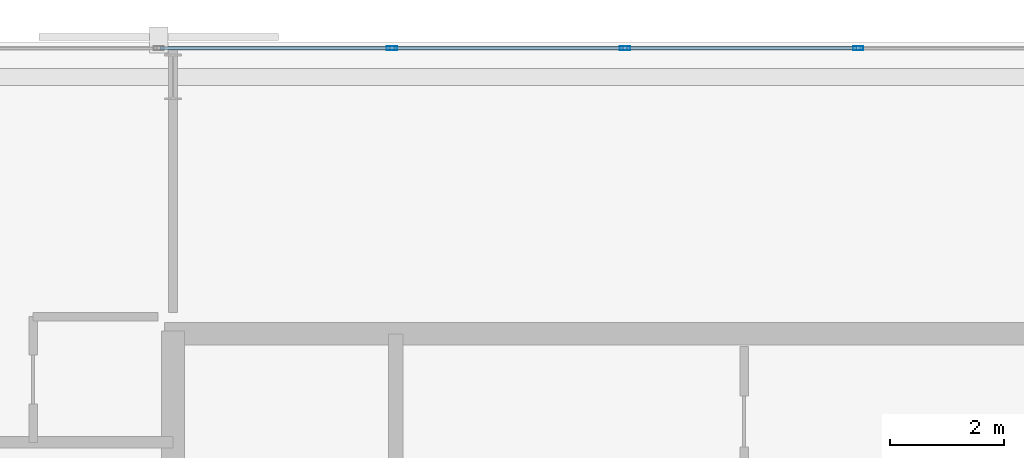
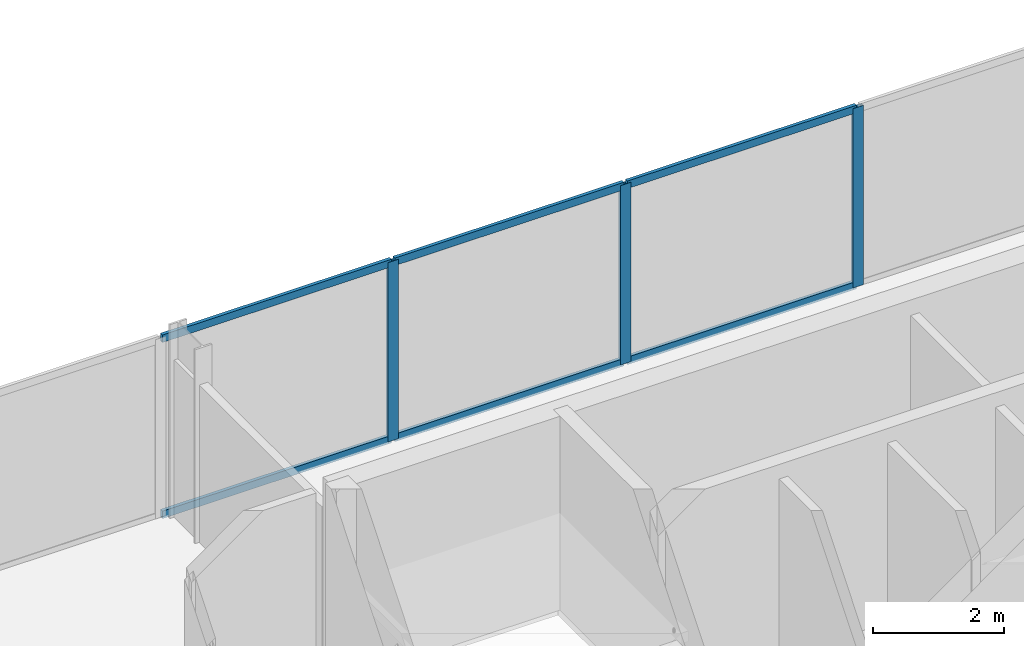
# One storey, part 22 of 32: 9 members, 1 element without a shape of its own.
"""IFC4 building model written with IfcOpenShell, lengths in metres."""

from ifc_helpers import new_model, si_unit, direction, frame, origin, origin_2d, place, context, subcontext, project, spatial, hollow_rectangle, extrude, material, layer, layer_set, material_profile, profile_set, type_object, element, aggregate, save


model = new_model("IFC4")

# Units and contexts
model_context = context("Model", 3, precision=1e-05, world=origin(), true_north=direction((0.0, 1.0)))
body_context = subcontext(model_context, "Body", "Model", "MODEL_VIEW")
ifc_project = project(units=[si_unit("LENGTHUNIT", "METRE"), si_unit("AREAUNIT", "SQUARE_METRE"), si_unit("VOLUMEUNIT", "CUBIC_METRE"), si_unit("PLANEANGLEUNIT", "RADIAN"), si_unit("MASSUNIT", "GRAM", prefix="KILO")], contexts=[model_context])

# Site, building, storey
site_placement = place(None, origin())
site = spatial("IfcSite", under=ifc_project, at=site_placement, CompositionType="ELEMENT")
building_placement = place(site_placement, origin())
building = spatial("IfcBuilding", under=site, at=building_placement, Name="Catumbela Crestline Tower", CompositionType="ELEMENT")
storey_placement = place(building_placement, frame((0.0, 0.0, 69.0)))
storey = spatial("IfcBuildingStorey", under=building, at=storey_placement, Name="L17", CompositionType="ELEMENT", Elevation=69.0)

# Curtain wall, members
ifc_material = material(Name="Aluminium alloy AW-6060-T66", Category="aluminium")
ifc_layer = layer(ifc_material, 0.18, Name="Aluminium alloy AW-6060-T66")
ifc_layer_set = layer_set([ifc_layer], Name="Aluminium alloy AW-6060-T66")
curtain_wall_type = type_object("IfcCurtainWallType", Name="CWU-Z1", PredefinedType="USERDEFINED", material=ifc_layer_set)
curtain_wall_placement = place(storey_placement, origin())
curtain_wall = element("IfcCurtainWall", 1, at=curtain_wall_placement, inside=storey, type_object=curtain_wall_type, Name="L17 Unitised Curtain Wall CW-L17-E7S1", ObjectType="UNITISED", PredefinedType="USERDEFINED")
ifc_material_profile_1 = material_profile(ifc_material, hollow_rectangle(XDim=0.065, YDim=0.18, WallThickness=0.004, at=origin_2d()), Name="ALU 180x65x4")
ifc_profile_set_1 = profile_set([ifc_material_profile_1], Name="Aluminium alloy AW-6060-T66")
member_type_1 = type_object("IfcMemberType", Name="MUL-180X65", PredefinedType="MULLION", material=ifc_profile_set_1)
member_1_placement = place(storey_placement, frame((28.0, 47.9, 0.0), z_axis=(0.0, 0.0, 1.0), x_axis=(0.0, -1.0, 0.0)))
member_1 = element("IfcMember", 2, at=member_1_placement, type_object=member_type_1, Name="CWU-Z1 mullion 7", PredefinedType="MULLION", context=body_context, shape_type="SweptSolid", body=[
    extrude(hollow_rectangle(XDim=0.065, YDim=0.18, WallThickness=0.004, at=origin_2d()), origin(), (0.0, 0.0, 1.0), 3.33),
])
member_2_placement = place(storey_placement, frame((23.9167, 47.9, 0.0), z_axis=(0.0, 0.0, 1.0), x_axis=(0.0, -1.0, 0.0)))
member_2 = element("IfcMember", 3, at=member_2_placement, type_object=member_type_1, Name="CWU-Z1 mullion 8", PredefinedType="MULLION", context=body_context, shape_type="SweptSolid", body=[
    extrude(hollow_rectangle(XDim=0.065, YDim=0.18, WallThickness=0.004, at=origin_2d()), origin(), (0.0, 0.0, 1.0), 3.33),
])
member_3_placement = place(storey_placement, frame((19.8333, 47.9, 0.0), z_axis=(0.0, 0.0, 1.0), x_axis=(0.0, -1.0, 0.0)))
member_3 = element("IfcMember", 4, at=member_3_placement, type_object=member_type_1, Name="CWU-Z1 mullion 9", PredefinedType="MULLION", context=body_context, shape_type="SweptSolid", body=[
    extrude(hollow_rectangle(XDim=0.065, YDim=0.18, WallThickness=0.004, at=origin_2d()), origin(), (0.0, 0.0, 1.0), 3.33),
])
ifc_material_profile_2 = material_profile(ifc_material, hollow_rectangle(XDim=0.06, YDim=0.14, WallThickness=0.004, at=origin_2d()), Name="ALU 140x60x4")
ifc_profile_set_2 = profile_set([ifc_material_profile_2], Name="Aluminium alloy AW-6060-T66")
member_type_2 = type_object("IfcMemberType", Name="TRN-140X60", PredefinedType="USERDEFINED", material=ifc_profile_set_2)
member_4_placement = place(storey_placement, frame((27.9675, 47.9, 0.03), z_axis=(-1.0, 0.0, 0.0), x_axis=(0.0, -1.0, 0.0)))
member_4 = element("IfcMember", 5, at=member_4_placement, type_object=member_type_2, Name="CWU-Z1 transom 7.1", ObjectType="TRANSOM", PredefinedType="USERDEFINED", context=body_context, shape_type="SweptSolid", body=[
    extrude(hollow_rectangle(XDim=0.06, YDim=0.14, WallThickness=0.004, at=origin_2d()), origin(), (0.0, 0.0, 1.0), 4.0183),
])
member_5_placement = place(storey_placement, frame((27.9675, 47.9, 3.3), z_axis=(-1.0, 0.0, 0.0), x_axis=(0.0, -1.0, 0.0)))
member_5 = element("IfcMember", 6, at=member_5_placement, type_object=member_type_2, Name="CWU-Z1 transom 7.2", ObjectType="TRANSOM", PredefinedType="USERDEFINED", context=body_context, shape_type="SweptSolid", body=[
    extrude(hollow_rectangle(XDim=0.06, YDim=0.14, WallThickness=0.004, at=origin_2d()), origin(), (0.0, 0.0, 1.0), 4.0183),
])
member_6_placement = place(storey_placement, frame((23.8842, 47.9, 0.03), z_axis=(-1.0, 0.0, 0.0), x_axis=(0.0, -1.0, 0.0)))
member_6 = element("IfcMember", 7, at=member_6_placement, type_object=member_type_2, Name="CWU-Z1 transom 8.1", ObjectType="TRANSOM", PredefinedType="USERDEFINED", context=body_context, shape_type="SweptSolid", body=[
    extrude(hollow_rectangle(XDim=0.06, YDim=0.14, WallThickness=0.004, at=origin_2d()), origin(), (0.0, 0.0, 1.0), 4.0184),
])
member_7_placement = place(storey_placement, frame((23.8842, 47.9, 3.3), z_axis=(-1.0, 0.0, 0.0), x_axis=(0.0, -1.0, 0.0)))
member_7 = element("IfcMember", 8, at=member_7_placement, type_object=member_type_2, Name="CWU-Z1 transom 8.2", ObjectType="TRANSOM", PredefinedType="USERDEFINED", context=body_context, shape_type="SweptSolid", body=[
    extrude(hollow_rectangle(XDim=0.06, YDim=0.14, WallThickness=0.004, at=origin_2d()), origin(), (0.0, 0.0, 1.0), 4.0184),
])
member_8_placement = place(storey_placement, frame((19.8008, 47.9, 0.03), z_axis=(-1.0, 0.0, 0.0), x_axis=(0.0, -1.0, 0.0)))
member_8 = element("IfcMember", 9, at=member_8_placement, type_object=member_type_2, Name="CWU-Z1 transom 9.1", ObjectType="TRANSOM", PredefinedType="USERDEFINED", context=body_context, shape_type="SweptSolid", body=[
    extrude(hollow_rectangle(XDim=0.06, YDim=0.14, WallThickness=0.004, at=origin_2d()), origin(), (0.0, 0.0, 1.0), 4.0183),
])
member_9_placement = place(storey_placement, frame((19.8008, 47.9, 3.3), z_axis=(-1.0, 0.0, 0.0), x_axis=(0.0, -1.0, 0.0)))
member_9 = element("IfcMember", 10, at=member_9_placement, type_object=member_type_2, Name="CWU-Z1 transom 9.2", ObjectType="TRANSOM", PredefinedType="USERDEFINED", context=body_context, shape_type="SweptSolid", body=[
    extrude(hollow_rectangle(XDim=0.06, YDim=0.14, WallThickness=0.004, at=origin_2d()), origin(), (0.0, 0.0, 1.0), 4.0183),
])
aggregate(curtain_wall, [member_1, member_2, member_3, member_4, member_5, member_6, member_7, member_8, member_9])

save(model, "model.ifc")
